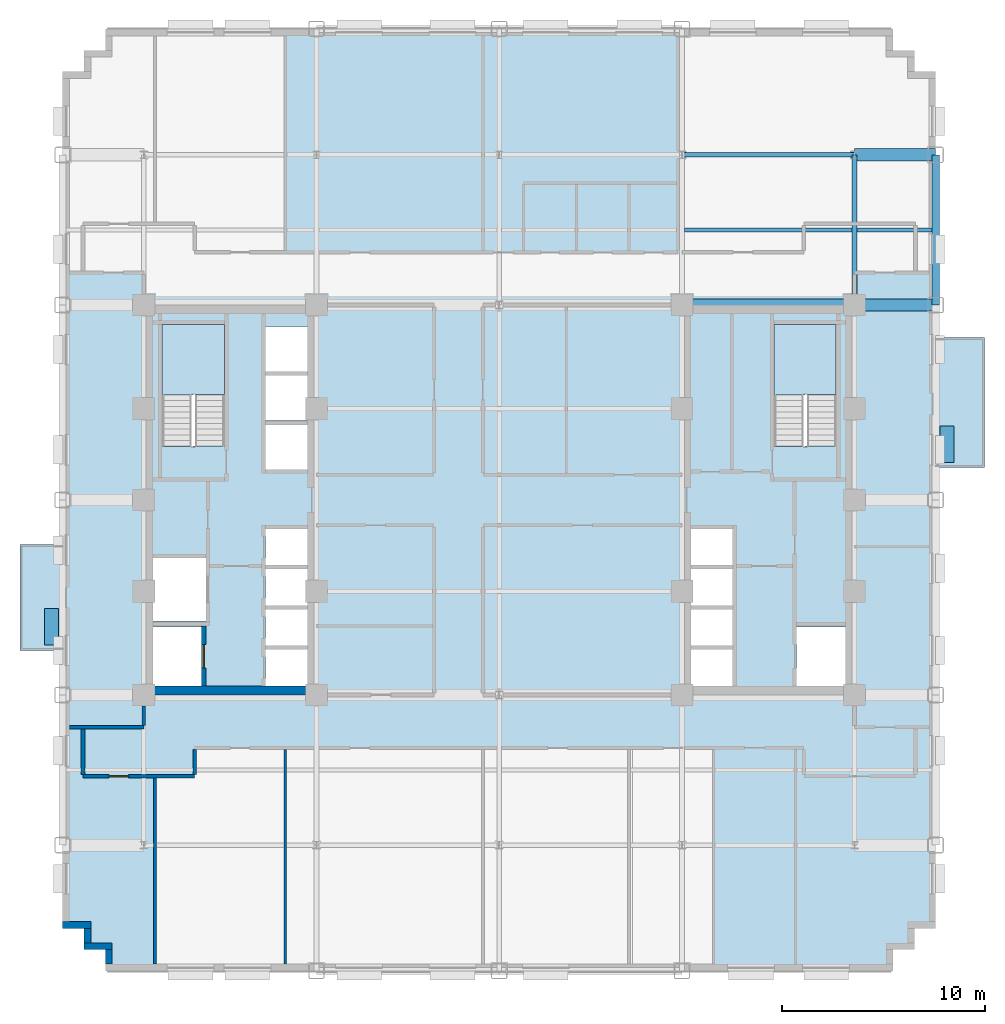
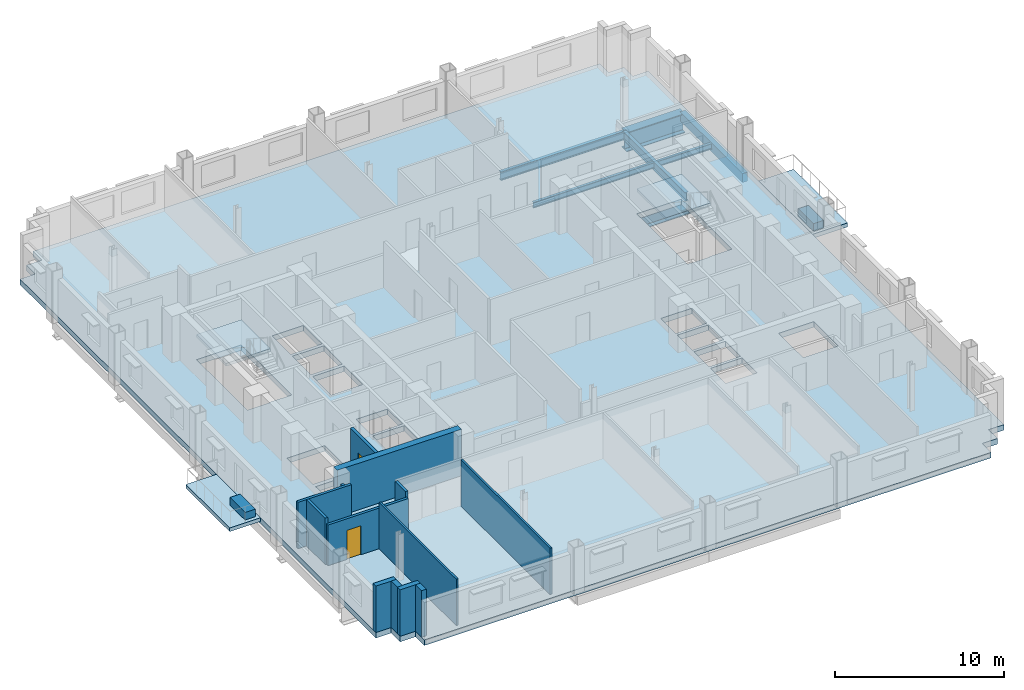
# One storey, part 5 of 14: 13 walls, 7 beams, 5 slabs, 2 doors, 2 plates, 2 openings, 2 elements without a shape of their own.
"""IFC4 building model written with IfcOpenShell, lengths in metres."""

from ifc_helpers import new_model, si_unit, direction, frame, frame_2d, origin, origin_2d, place, context, subcontext, project, spatial, polyline, rectangle, i_section, outline, extrude, source, transform, mapped, material, layer, layer_set, material_profile, profile_set, type_object, type_shapes, element, fill, aggregate, save


model = new_model("IFC4")

# Units and contexts
model_context = context("Model", 3, precision=1e-05, world=origin(), true_north=direction((0.0, 1.0)))
body_context = subcontext(model_context, "Body", "Model", "MODEL_VIEW")
ifc_project = project(units=[si_unit("LENGTHUNIT", "METRE"), si_unit("AREAUNIT", "SQUARE_METRE"), si_unit("VOLUMEUNIT", "CUBIC_METRE"), si_unit("PLANEANGLEUNIT", "RADIAN"), si_unit("MASSUNIT", "GRAM", prefix="KILO")], contexts=[model_context])

# Site, building, storey
site_placement = place(None, origin())
site = spatial("IfcSite", under=ifc_project, at=site_placement, CompositionType="ELEMENT")
building_placement = place(site_placement, origin())
building = spatial("IfcBuilding", under=site, at=building_placement, Name="Nuvemarco Arch Tower", CompositionType="ELEMENT")
storey_placement = place(building_placement, frame((0.0, 0.0, 56.800048828125)))
storey = spatial("IfcBuildingStorey", under=building, at=storey_placement, Name="L14", CompositionType="ELEMENT", Elevation=56.800048828125)

# Beams
ifc_material_1 = material(Name="Steel S355", Category="steel")
ifc_material_profile_1 = material_profile(ifc_material_1, i_section(OverallWidth=0.22998046875, OverallDepth=0.616943359375, WebThickness=0.01318359375, FlangeThickness=0.022216796875, FilletRadius=0.01611328125, at=origin_2d()), Name="W610x140")
ifc_profile_set_1 = profile_set([ifc_material_profile_1], Name="Steel S355")
beam_type_1 = type_object("IfcBeamType", Name="BM-GIRD-610", PredefinedType="BEAM", material=ifc_profile_set_1)
beam_1_placement = place(storey_placement, frame((17.5, 9.60009765625, -0.70849609375), z_axis=(0.0, 1.0, 0.0), x_axis=(-1.0, 0.0, 0.0)))
element("IfcBeam", 1, at=beam_1_placement, inside=storey, type_object=beam_type_1, Name="L14 structural beam BGNS_L14_0_+17.5_+9.6", PredefinedType="BEAM", context=body_context, shape_type="SweptSolid", body=[
    extrude(i_section(OverallWidth=0.22998046875, OverallDepth=0.616943359375, WebThickness=0.01318359375, FlangeThickness=0.022216796875, FilletRadius=0.01611328125, at=origin_2d()), origin(), (0.0, 0.0, 1.0), 7.39990234375),
])
beam_2_placement = place(storey_placement, frame((9.0, 17.0, -0.70849609375), z_axis=(1.0, 0.0, 0.0), x_axis=(0.0, 1.0, 0.0)))
element("IfcBeam", 2, at=beam_2_placement, inside=storey, type_object=beam_type_1, Name="L14 structural beam BGEW_L14_0_+17.0_+9.0", PredefinedType="BEAM", context=body_context, shape_type="SweptSolid", body=[
    extrude(i_section(OverallWidth=0.22998046875, OverallDepth=0.616943359375, WebThickness=0.01318359375, FlangeThickness=0.022216796875, FilletRadius=0.01611328125, at=origin_2d()), origin(), (0.0, 0.0, 1.0), 8.5),
])
ifc_material_profile_2 = material_profile(ifc_material_1, i_section(OverallWidth=0.179931640625, OverallDepth=0.4130859375, WebThickness=0.009765625, FlangeThickness=0.01611328125, FilletRadius=0.014892578125, at=origin_2d()), Name="W410x75")
ifc_profile_set_2 = profile_set([ifc_material_profile_2], Name="Steel S355")
beam_type_2 = type_object("IfcBeamType", Name="BM-JOIST-410", PredefinedType="JOIST", material=ifc_profile_set_2)
beam_3_placement = place(storey_placement, frame((9.114990234375, 13.300048828125, -0.6064453125), z_axis=(1.0, 0.0, 0.0), x_axis=(0.0, 1.0, 0.0)))
element("IfcBeam", 3, at=beam_3_placement, inside=storey, type_object=beam_type_2, Name="L14 structural beam BJ_L14_0_+13.3_+9.0", PredefinedType="JOIST", context=body_context, shape_type="SweptSolid", body=[
    extrude(i_section(OverallWidth=0.179931640625, OverallDepth=0.4130859375, WebThickness=0.009765625, FlangeThickness=0.01611328125, FilletRadius=0.014892578125, at=origin_2d()), origin(), (0.0, 0.0, 1.0), 8.27001953125),
])
beam_4_placement = place(storey_placement, frame((17.614990234375, 13.300048828125, -0.6064453125), z_axis=(1.0, 0.0, 0.0), x_axis=(0.0, 1.0, 0.0)))
element("IfcBeam", 4, at=beam_4_placement, inside=storey, type_object=beam_type_2, Name="L14 structural beam BJ_L14_0_+13.3_+17.5", PredefinedType="JOIST", context=body_context, shape_type="SweptSolid", body=[
    extrude(i_section(OverallWidth=0.179931640625, OverallDepth=0.4130859375, WebThickness=0.009765625, FlangeThickness=0.01611328125, FilletRadius=0.014892578125, at=origin_2d()), origin(), (0.0, 0.0, 1.0), 3.7099609375),
])
ifc_material_2 = material(Name="Precast concrete C45/55", Category="concrete")
ifc_material_profile_3 = material_profile(ifc_material_2, rectangle(XDim=0.35009765625, YDim=0.64990234375, at=origin_2d()), Name="PC-SP-350x650")
ifc_profile_set_3 = profile_set([ifc_material_profile_3], Name="Precast concrete C45/55")
beam_type_3 = type_object("IfcBeamType", Name="BM-SPAN-RC", PredefinedType="SPANDREL", material=ifc_profile_set_3)
beam_5_placement = place(storey_placement, frame((21.5, 9.60009765625, -0.72509765625), z_axis=(0.0, 1.0, 0.0), x_axis=(-1.0, 0.0, 0.0)))
element("IfcBeam", 5, at=beam_5_placement, inside=storey, type_object=beam_type_3, Name="L14 structural beam BGNS_L14_0_+21.5_+9.6", PredefinedType="SPANDREL", context=body_context, shape_type="SweptSolid", body=[
    extrude(rectangle(XDim=0.35009765625, YDim=0.64990234375, at=origin_2d()), origin(), (0.0, 0.0, 1.0), 7.39990234375),
])
ifc_material_3 = material(Name="Steel S460", Category="steel")
ifc_material_profile_4 = material_profile(ifc_material_3, i_section(OverallWidth=0.60009765625, OverallDepth=1.39990234375, WebThickness=0.031982421875, FlangeThickness=0.054931640625, FilletRadius=0.02001953125, at=origin_2d()), Name="PG1400x600")
ifc_profile_set_4 = profile_set([ifc_material_profile_4], Name="Steel S460")
beam_type_4 = type_object("IfcBeamType", Name="BM-TG-CANT1", PredefinedType="BEAM", material=ifc_profile_set_4)
beam_6_placement = place(storey_placement, frame((9.0, 9.60009765625, -1.10009765625), z_axis=(1.0, 0.0, 0.0), x_axis=(0.0, 1.0, 0.0)))
element("IfcBeam", 6, at=beam_6_placement, inside=storey, type_object=beam_type_4, Name="L14 structural beam TG_L14_E_+9.6", PredefinedType="BEAM", context=body_context, shape_type="SweptSolid", body=[
    extrude(i_section(OverallWidth=0.60009765625, OverallDepth=1.39990234375, WebThickness=0.031982421875, FlangeThickness=0.054931640625, FilletRadius=0.02001953125, at=origin_2d()), origin(), (0.0, 0.0, 1.0), 12.5),
])
beam_7_placement = place(storey_placement, frame((17.5, 17.0, -1.10009765625), z_axis=(1.0, 0.0, 0.0), x_axis=(0.0, 1.0, 0.0)))
element("IfcBeam", 7, at=beam_7_placement, inside=storey, type_object=beam_type_4, Name="L14 structural beam TG_L14_E_+17.0", PredefinedType="BEAM", context=body_context, shape_type="SweptSolid", body=[
    extrude(i_section(OverallWidth=0.60009765625, OverallDepth=1.39990234375, WebThickness=0.031982421875, FlangeThickness=0.054931640625, FilletRadius=0.02001953125, at=origin_2d()), origin(), (0.0, 0.0, 1.0), 4.0),
])

# Slab
ifc_material_4 = material(Name="Concrete C60/75", Category="concrete")
ifc_layer_1 = layer(ifc_material_4, 0.39990234375, Name="SL-FLR-400")
ifc_layer_set_1 = layer_set([ifc_layer_1], Name="Concrete C60/75")
slab_type_1 = type_object("IfcSlabType", Name="SL-FLR-400", PredefinedType="FLOOR", material=ifc_layer_set_1)
slab_1_placement = place(storey_placement, frame((0.0, 0.0, -0.400146484375)))
element("IfcSlab", 8, at=slab_1_placement, inside=storey, type_object=slab_type_1, Name="L14 structural floor slab", PredefinedType="FLOOR", context=body_context, shape_type="SweptSolid", body=[
    extrude(outline(polyline([(-19.39990234375, -23.199951171875), (19.39990234375, -23.199951171875), (19.39990234375, -22.14990234375), (20.449951171875, -22.14990234375), (20.449951171875, -21.10009765625), (21.5, -21.10009765625), (21.5, 21.10009765625), (20.449951171875, 21.10009765625), (20.449951171875, 22.14990234375), (19.39990234375, 22.14990234375), (19.39990234375, 23.199951171875), (-19.39990234375, 23.199951171875), (-19.39990234375, 22.14990234375), (-20.449951171875, 22.14990234375), (-20.449951171875, 21.10009765625), (-21.5, 21.10009765625), (-21.5, -21.10009765625), (-20.449951171875, -21.10009765625), (-20.449951171875, -22.14990234375), (-19.39990234375, -22.14990234375), (-19.39990234375, -23.199951171875)]), holes=[polyline([(-13.5400390625, 2.669921875), (-13.5400390625, 8.64990234375), (-16.60009765625, 8.64990234375), (-16.60009765625, 2.630615234375), (-15.070068359375, 2.630615234375), (-15.070068359375, 2.669921875), (-13.5400390625, 2.669921875)]), polyline([(16.60009765625, 2.669921875), (16.60009765625, 8.64990234375), (13.5400390625, 8.64990234375), (13.5400390625, 2.630615234375), (15.070068359375, 2.630615234375), (15.070068359375, 2.669921875), (16.60009765625, 2.669921875)]), polyline([(-17.050048828125, -9.14990234375), (-14.64990234375, -9.14990234375), (-14.64990234375, -6.25), (-17.050048828125, -6.25), (-17.050048828125, -9.14990234375)]), polyline([(-17.050048828125, -5.949951171875), (-14.449951171875, -5.949951171875), (-14.449951171875, -2.85009765625), (-17.050048828125, -2.85009765625), (-17.050048828125, -5.949951171875)]), polyline([(-11.5, -9.14990234375), (-9.35009765625, -9.14990234375), (-9.35009765625, -7.3701171875), (-11.5, -7.3701171875), (-11.5, -9.14990234375)]), polyline([(-11.5, -7.169921875), (-9.35009765625, -7.169921875), (-9.35009765625, -5.389892578125), (-11.5, -5.389892578125), (-11.5, -7.169921875)]), polyline([(-11.5, -5.18994140625), (-9.35009765625, -5.18994140625), (-9.35009765625, -3.409912109375), (-11.5, -3.409912109375), (-11.5, -5.18994140625)]), polyline([(-11.5, -3.2099609375), (-9.35009765625, -3.2099609375), (-9.35009765625, -1.429931640625), (-11.5, -1.429931640625), (-11.5, -3.2099609375)]), polyline([(-11.5, 1.5), (-9.35009765625, 1.5), (-9.35009765625, 3.699951171875), (-11.5, 3.699951171875), (-11.5, 1.5)]), polyline([(-11.5, 3.919921875), (-9.35009765625, 3.919921875), (-9.35009765625, 6.1201171875), (-11.5, 6.1201171875), (-11.5, 3.919921875)]), polyline([(-11.5, 6.340087890625), (-9.35009765625, 6.340087890625), (-9.35009765625, 8.5400390625), (-11.5, 8.5400390625), (-11.5, 6.340087890625)]), polyline([(14.64990234375, -9.14990234375), (17.050048828125, -9.14990234375), (17.050048828125, -6.25), (14.64990234375, -6.25), (14.64990234375, -9.14990234375)]), polyline([(9.35009765625, -9.14990234375), (11.5, -9.14990234375), (11.5, -7.3701171875), (9.35009765625, -7.3701171875), (9.35009765625, -9.14990234375)]), polyline([(9.35009765625, -7.169921875), (11.5, -7.169921875), (11.5, -5.389892578125), (9.35009765625, -5.389892578125), (9.35009765625, -7.169921875)]), polyline([(9.35009765625, -5.18994140625), (11.5, -5.18994140625), (11.5, -3.409912109375), (9.35009765625, -3.409912109375), (9.35009765625, -5.18994140625)]), polyline([(9.35009765625, -3.2099609375), (11.5, -3.2099609375), (11.5, -1.429931640625), (9.35009765625, -1.429931640625), (9.35009765625, -3.2099609375)])]), origin(), (0.0, 0.0, 1.0), 0.400146484375),
])

# Stair, slab
stair_type = type_object("IfcStairType", Name="ST-CORE-20R", PredefinedType="HALF_TURN_STAIR", material=ifc_material_2)
stair_1_placement = place(storey_placement, origin())
stair_1 = element("IfcStair", 9, at=stair_1_placement, inside=storey, type_object=stair_type, Name="L14 Protected Exit Stair ST-1", PredefinedType="HALF_TURN_STAIR")
ifc_layer_2 = layer(ifc_material_2, 0.199951171875, Name="SL-LANDING-200")
ifc_layer_set_2 = layer_set([ifc_layer_2], Name="Precast concrete C45/55")
slab_type_2 = type_object("IfcSlabType", Name="SL-LANDING-200", PredefinedType="LANDING", material=ifc_layer_set_2)
slab_2_placement = place(storey_placement, frame((0.0, 0.0, 1.625)))
slab_2 = element("IfcSlab", 10, at=slab_2_placement, type_object=slab_type_2, Name="ST-20R landing 1", PredefinedType="LANDING", context=body_context, shape_type="SweptSolid", body=[
    extrude(outline(polyline([(-13.5400390625, 5.189453125), (-13.5400390625, 8.64990234375), (-16.60009765625, 8.64990234375), (-16.60009765625, 5.169921875), (-15.070068359375, 5.169921875), (-15.070068359375, 5.189453125), (-13.5400390625, 5.189453125)])), origin(), (0.0, 0.0, 1.0), 0.199951171875),
])
aggregate(stair_1, [slab_2])

stair_2_placement = place(storey_placement, origin())
stair_2 = element("IfcStair", 11, at=stair_2_placement, inside=storey, type_object=stair_type, Name="L14 Protected Exit Stair ST-2", PredefinedType="HALF_TURN_STAIR")
slab_3_placement = place(storey_placement, frame((0.0, 0.0, 1.625)))
slab_3 = element("IfcSlab", 12, at=slab_3_placement, type_object=slab_type_2, Name="ST-20R landing 1", PredefinedType="LANDING", context=body_context, shape_type="SweptSolid", body=[
    extrude(outline(polyline([(16.60009765625, 5.189453125), (16.60009765625, 8.64990234375), (13.5400390625, 8.64990234375), (13.5400390625, 5.169921875), (15.070068359375, 5.169921875), (15.070068359375, 5.189453125), (16.60009765625, 5.189453125)])), origin(), (0.0, 0.0, 1.0), 0.199951171875),
])
aggregate(stair_2, [slab_3])

# Slabs
ifc_material_5 = material(Name="Concrete C50/60", Category="concrete")
ifc_layer_3 = layer(ifc_material_5, 0.264892578125, Name="SL-TB1")
ifc_layer_set_3 = layer_set([ifc_layer_3], Name="Concrete C50/60")
slab_type_3 = type_object("IfcSlabType", Name="SL-TB1", PredefinedType="FLOOR", material=ifc_layer_set_3)
slab_4_placement = place(storey_placement, frame((0.0, 0.0, -0.26513671875)))
element("IfcSlab", 13, at=slab_4_placement, inside=storey, type_object=slab_type_3, Name="L14 outdoor tree balcony slab 2", PredefinedType="FLOOR", context=body_context, shape_type="SweptSolid", body=[
    extrude(outline(polyline([(-23.60009765625, -7.39990234375), (-21.5, -7.39990234375), (-21.5, -2.199951171875), (-23.60009765625, -2.199951171875), (-23.60009765625, -7.39990234375)])), origin(), (0.0, 0.0, 1.0), 0.26513671875),
])
ifc_layer_4 = layer(ifc_material_5, 0.294921875, Name="SL-TR4")
ifc_layer_set_4 = layer_set([ifc_layer_4], Name="Concrete C50/60")
slab_type_4 = type_object("IfcSlabType", Name="SL-TR4", PredefinedType="FLOOR", material=ifc_layer_set_4)
slab_5_placement = place(storey_placement, frame((0.0, 0.0, -0.295166015625)))
element("IfcSlab", 14, at=slab_5_placement, inside=storey, type_object=slab_type_4, Name="L14 outdoor spiral terrace slab 1", PredefinedType="FLOOR", context=body_context, shape_type="SweptSolid", body=[
    extrude(outline(polyline([(21.5, 1.60009765625), (23.89990234375, 1.60009765625), (23.89990234375, 8.0), (21.5, 8.0), (21.5, 1.60009765625)])), origin(), (0.0, 0.0, 1.0), 0.295166015625),
])

# Plates
ifc_layer_5 = layer(ifc_material_2, 0.550048828125, Name="Tree Balcony Structural Planter")
ifc_layer_set_5 = layer_set([ifc_layer_5], Name="Precast concrete C45/55")
plate_type = type_object("IfcPlateType", Name="Tree Balcony Structural Planter", PredefinedType="USERDEFINED", material=ifc_layer_set_5)
shared_shape_1 = source(origin(), body_context, "Body", "SweptSolid", [
    extrude(rectangle(XDim=1.800048828125, YDim=0.699951171875, at=origin_2d()), origin(), (0.0, 0.0, 1.0), 0.550048828125),
])
type_shapes(plate_type, [shared_shape_1])
for number, where, z_axis, x_axis, name in (
    (15, (22.050048828125, 2.75, 0.0), (0.0, 0.0, 1.0), (0.0, 1.0, 0.0), "L14 Tree Balcony Structural Planter"),
    (16, (-22.050048828125, -6.25, 0.0), (0.0, 0.0, 1.0), (0.0, 1.0, 0.0), "L14 Tree Balcony Structural Planter"),
):
    element("IfcPlate", number, at=place(storey_placement, frame(where, z_axis=z_axis, x_axis=x_axis)), inside=storey, type_object=plate_type, Name=name, ObjectType="PLANTER", PredefinedType="USERDEFINED", context=body_context, shape_type="MappedRepresentation", body=[
        mapped(shared_shape_1, transform((0.0, 0.0, 0.0), scale=1.0)),
    ])

# Walls
ifc_layer_6 = layer(ifc_material_2, 0.340087890625, Name="EW-LOW-340")
ifc_layer_set_6 = layer_set([ifc_layer_6], Name="Precast concrete C45/55")
wall_type_1 = type_object("IfcWallType", Name="EW-LOW-340", PredefinedType="STANDARD", material=ifc_layer_set_6)
wall_1_placement = place(storey_placement, frame((-21.5, -20.929931640625, 0.0), z_axis=(0.0, 0.0, 1.0), x_axis=(1.0, 0.0, 0.0)))
element("IfcWall", 17, at=wall_1_placement, inside=storey, type_object=wall_type_1, Name="L14 exterior precast facade wall 17", PredefinedType="STANDARD", context=body_context, shape_type="SweptSolid", body=[
    extrude(rectangle(XDim=1.389892578125, YDim=0.340087890625, at=frame_2d((0.69482421875, 0.0))), origin(), (0.0, 0.0, 1.0), 3.35986328125),
])
wall_2_placement = place(storey_placement, frame((-20.280029296875, -21.81396484375, 0.0), z_axis=(0.0, 0.0, 1.0), x_axis=(0.0, 1.0, 0.0)))
element("IfcWall", 18, at=wall_2_placement, inside=storey, type_object=wall_type_1, Name="L14 exterior precast facade wall 18", PredefinedType="STANDARD", context=body_context, shape_type="SweptSolid", body=[
    extrude(rectangle(XDim=0.718017578125, YDim=0.340087890625, at=frame_2d((0.35888671875, 0.0))), origin(), (0.0, 0.0, 1.0), 3.35986328125),
])
wall_3_placement = place(storey_placement, frame((-20.449951171875, -21.97998046875, 0.0), z_axis=(0.0, 0.0, 1.0), x_axis=(1.0, 0.0, 0.0)))
element("IfcWall", 19, at=wall_3_placement, inside=storey, type_object=wall_type_1, Name="L14 exterior precast facade wall 19", PredefinedType="STANDARD", context=body_context, shape_type="SweptSolid", body=[
    extrude(rectangle(XDim=1.389892578125, YDim=0.340087890625, at=frame_2d((0.69482421875, 0.0))), origin(), (0.0, 0.0, 1.0), 3.35986328125),
])
wall_4_placement = place(storey_placement, frame((-19.22998046875, -22.864013671875, 0.0), z_axis=(0.0, 0.0, 1.0), x_axis=(0.0, 1.0, 0.0)))
element("IfcWall", 20, at=wall_4_placement, inside=storey, type_object=wall_type_1, Name="L14 exterior precast facade wall 20", PredefinedType="STANDARD", context=body_context, shape_type="SweptSolid", body=[
    extrude(rectangle(XDim=0.718017578125, YDim=0.340087890625, at=frame_2d((0.35888671875, 0.0))), origin(), (0.0, 0.0, 1.0), 3.35986328125),
])
ifc_layer_7 = layer(ifc_material_4, 0.449951171875, Name="WL-CORE-450")
ifc_layer_set_7 = layer_set([ifc_layer_7], Name="Concrete C60/75")
wall_type_2 = type_object("IfcWallType", Name="WL-CORE-450", PredefinedType="SHEAR", material=ifc_layer_set_7)
wall_5_placement = place(storey_placement, frame((-17.5, -9.375, 0.0), z_axis=(0.0, 0.0, 1.0), x_axis=(1.0, 0.0, 0.0)))
element("IfcWall", 21, at=wall_5_placement, inside=storey, type_object=wall_type_2, Name="L14 W-core shear wall S", PredefinedType="SHEAR", context=body_context, shape_type="SweptSolid", body=[
    extrude(rectangle(XDim=8.5, YDim=0.449951171875, at=frame_2d((4.25, 0.0))), origin(), (0.0, 0.0, 1.0), 3.369873046875),
])

# Wall, opening, door
ifc_material_6 = material(Name="Fire-rated gypsum drywall partition")
ifc_layer_8 = layer(ifc_material_6, 0.179931640625, Name="WL-CORR-180")
ifc_layer_set_8 = layer_set([ifc_layer_8], Name="Fire-rated gypsum drywall partition")
wall_type_3 = type_object("IfcWallType", Name="WL-CORR-180", PredefinedType="PARTITIONING", material=ifc_layer_set_8)
wall_6_placement = place(storey_placement, frame((-20.5, -13.60009765625, 0.0), z_axis=(0.0, 0.0, 1.0), x_axis=(1.0, 0.0, 0.0)))
wall_6 = element("IfcWall", 22, at=wall_6_placement, inside=storey, type_object=wall_type_3, Name="L14 interior wall IW-L14-001", PredefinedType="PARTITIONING", context=body_context, shape_type="SweptSolid", body=[
    extrude(rectangle(XDim=5.5, YDim=0.179931640625, at=frame_2d((2.75, 0.0))), origin(), (0.0, 0.0, 1.0), 2.94189453125),
])
opening_1_placement = place(wall_6_placement, frame((1.294921875, 0.0, 0.0)))
opening_1 = element("IfcOpeningElement", 23, at=opening_1_placement, cuts=wall_6, Name="Opening FD-5", PredefinedType="OPENING", context=body_context, shape_type="SweptSolid", body=[
    extrude(rectangle(XDim=0.9599609375, YDim=2.10009765625, at=frame_2d((0.47998046875, 1.050048828125))), frame((0.0, 0.099853515625, 0.0), z_axis=(0.0, -1.0, 0.0), x_axis=(1.0, 0.0, 0.0)), (0.0, 0.0, 1.0), 0.199951171875),
])
ifc_material_7 = material(Name="Timber fire door", Category="wood")
door_type_1 = type_object("IfcDoorType", Name="DR-CORR-FD", OperationType="NOTDEFINED", PredefinedType="DOOR", material=ifc_material_7)
shared_shape_2 = source(origin(), body_context, "Body", "SweptSolid", [
    extrude(rectangle(XDim=0.9599609375, YDim=2.10009765625, at=frame_2d((0.47998046875, 1.050048828125))), frame((0.0, 0.02490234375, 0.0), z_axis=(0.0, -1.0, 0.0), x_axis=(1.0, 0.0, 0.0)), (0.0, 0.0, 1.0), 0.050048828125),
])
type_shapes(door_type_1, [shared_shape_2])
door_1_placement = place(opening_1_placement, origin())
door_1 = element("IfcDoor", 24, at=door_1_placement, inside=storey, type_object=door_type_1, Name="L14 door DR-L14-S_1", OperationType="SINGLE_SWING_RIGHT", OverallHeight=2.10009765625, OverallWidth=0.9599609375, PredefinedType="DOOR", context=body_context, shape_type="MappedRepresentation", body=[
    mapped(shared_shape_2, transform((0.0, 0.0, 0.0), scale=1.0)),
])
fill(opening_1, door_1)

# Walls
wall_7_placement = place(storey_placement, frame((-21.159912109375, -11.199951171875, 0.0), z_axis=(0.0, 0.0, 1.0), x_axis=(1.0, 0.0, 0.0)))
element("IfcWall", 25, at=wall_7_placement, inside=storey, type_object=wall_type_3, Name="L14 interior wall IW-L14-004", PredefinedType="PARTITIONING", context=body_context, shape_type="SweptSolid", body=[
    extrude(rectangle(XDim=3.659912109375, YDim=0.179931640625, at=frame_2d((1.830078125, 0.0))), origin(), (0.0, 0.0, 1.0), 3.35986328125),
])
wall_8_placement = place(storey_placement, frame((-20.5, -13.513916015625, 0.0), z_axis=(0.0, 0.0, 1.0), x_axis=(0.0, 1.0, 0.0)))
element("IfcWall", 26, at=wall_8_placement, inside=storey, type_object=wall_type_3, Name="L14 interior wall IW-L14-025", PredefinedType="PARTITIONING", context=body_context, shape_type="SweptSolid", body=[
    extrude(rectangle(XDim=2.22802734375, YDim=0.179931640625, at=frame_2d((1.114013671875, 0.0))), origin(), (0.0, 0.0, 1.0), 3.35986328125),
])
wall_9_placement = place(storey_placement, frame((-17.5, -11.114013671875, 0.0), z_axis=(0.0, 0.0, 1.0), x_axis=(0.0, 1.0, 0.0)))
element("IfcWall", 27, at=wall_9_placement, inside=storey, type_object=wall_type_3, Name="L14 interior wall IW-L14-027", PredefinedType="PARTITIONING", context=body_context, shape_type="SweptSolid", body=[
    extrude(rectangle(XDim=0.968017578125, YDim=0.179931640625, at=frame_2d((0.48388671875, 0.0))), origin(), (0.0, 0.0, 1.0), 2.738037109375),
])
wall_10_placement = place(storey_placement, frame((-15.0, -13.513916015625, 0.0), z_axis=(0.0, 0.0, 1.0), x_axis=(0.0, 1.0, 0.0)))
element("IfcWall", 28, at=wall_10_placement, inside=storey, type_object=wall_type_3, Name="L14 interior wall IW-L14-031", PredefinedType="PARTITIONING", context=body_context, shape_type="SweptSolid", body=[
    extrude(rectangle(XDim=1.22802734375, YDim=0.179931640625, at=frame_2d((0.614013671875, 0.0))), origin(), (0.0, 0.0, 1.0), 3.35986328125),
])
ifc_material_8 = material(Name="Glazed acoustic office partition")
ifc_layer_9 = layer(ifc_material_8, 0.1298828125, Name="WL-EXEC-130")
ifc_layer_set_9 = layer_set([ifc_layer_9], Name="Glazed acoustic office partition")
wall_type_4 = type_object("IfcWallType", Name="WL-EXEC-130", PredefinedType="PARTITIONING", material=ifc_layer_set_9)
wall_11_placement = place(storey_placement, frame((-16.949951171875, -22.860107421875, 0.0), z_axis=(0.0, 0.0, 1.0), x_axis=(0.0, 1.0, 0.0)))
element("IfcWall", 29, at=wall_11_placement, inside=storey, type_object=wall_type_4, Name="L14 interior wall IW-L14-029", PredefinedType="PARTITIONING", context=body_context, shape_type="SweptSolid", body=[
    extrude(rectangle(XDim=9.174072265625, YDim=0.1298828125, at=frame_2d((4.5869140625, 0.0))), origin(), (0.0, 0.0, 1.0), 3.35986328125),
])
wall_12_placement = place(storey_placement, frame((-10.530029296875, -22.860107421875, 0.0), z_axis=(0.0, 0.0, 1.0), x_axis=(0.0, 1.0, 0.0)))
element("IfcWall", 30, at=wall_12_placement, inside=storey, type_object=wall_type_4, Name="L14 interior wall IW-L14-033", PredefinedType="PARTITIONING", context=body_context, shape_type="SweptSolid", body=[
    extrude(rectangle(XDim=10.57421875, YDim=0.1298828125, at=frame_2d((5.287109375, 0.0))), origin(), (0.0, 0.0, 1.0), 3.35986328125),
])

# Wall, opening, door
ifc_layer_10 = layer(ifc_material_5, 0.199951171875, Name="WL-SHAFT-220")
ifc_layer_set_10 = layer_set([ifc_layer_10], Name="Concrete C50/60")
wall_type_5 = type_object("IfcWallType", Name="WL-SHAFT-220", PredefinedType="SHEAR", material=ifc_layer_set_10)
wall_13_placement = place(storey_placement, frame((-14.550048828125, -9.155029296875, 0.0), z_axis=(0.0, 0.0, 1.0), x_axis=(0.0, 1.0, 0.0)))
wall_13 = element("IfcWall", 31, at=wall_13_placement, inside=storey, type_object=wall_type_5, Name="L14 structural shaft wall SW-L14-W-SHE", PredefinedType="SHEAR", context=body_context, shape_type="SweptSolid", body=[
    extrude(rectangle(XDim=2.9599609375, YDim=0.199951171875, at=frame_2d((1.47998046875, 0.0))), origin(), (0.0, 0.0, 1.0), 3.369873046875),
])
opening_2_placement = place(wall_13_placement, frame((0.8798828125, 0.0, 0.0)))
opening_2 = element("IfcOpeningElement", 32, at=opening_2_placement, cuts=wall_13, Name="Opening LD-2", PredefinedType="OPENING", context=body_context, shape_type="SweptSolid", body=[
    extrude(rectangle(XDim=1.14990234375, YDim=2.14990234375, at=frame_2d((0.574951171875, 1.074951171875))), frame((0.0, 0.10986328125, 0.0), z_axis=(0.0, -1.0, 0.0), x_axis=(1.0, 0.0, 0.0)), (0.0, 0.0, 1.0), 0.219970703125),
])
ifc_material_9 = material(Name="Stainless steel lift door", Category="steel")
door_type_2 = type_object("IfcDoorType", Name="DR-LIFT-FIRE", OperationType="DOUBLE_DOOR_SLIDING", PredefinedType="DOOR", material=ifc_material_9)
shared_shape_3 = source(origin(), body_context, "Body", "SweptSolid", [
    extrude(rectangle(XDim=1.14990234375, YDim=2.14990234375, at=frame_2d((0.574951171875, 1.074951171875))), frame((0.0, 0.02490234375, 0.0), z_axis=(0.0, -1.0, 0.0), x_axis=(1.0, 0.0, 0.0)), (0.0, 0.0, 1.0), 0.050048828125),
])
type_shapes(door_type_2, [shared_shape_3])
door_2_placement = place(opening_2_placement, origin())
door_2 = element("IfcDoor", 33, at=door_2_placement, inside=storey, type_object=door_type_2, Name="L14 Lift landing sliding door FFL-1", OperationType="DOUBLE_DOOR_SLIDING", OverallHeight=2.14990234375, OverallWidth=1.14990234375, PredefinedType="DOOR", context=body_context, shape_type="MappedRepresentation", body=[
    mapped(shared_shape_3, transform((0.0, 0.0, 0.0), scale=1.0)),
])
fill(opening_2, door_2)

save(model, "model.ifc")
